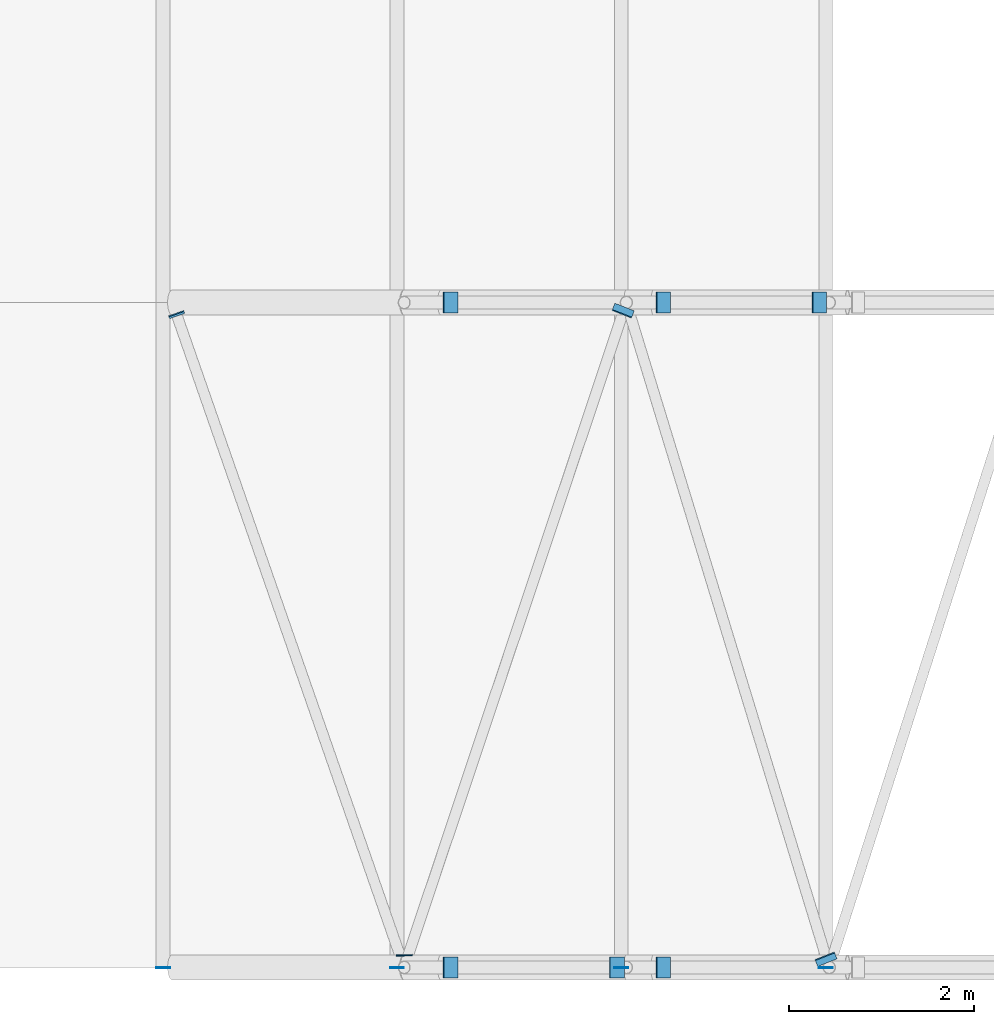
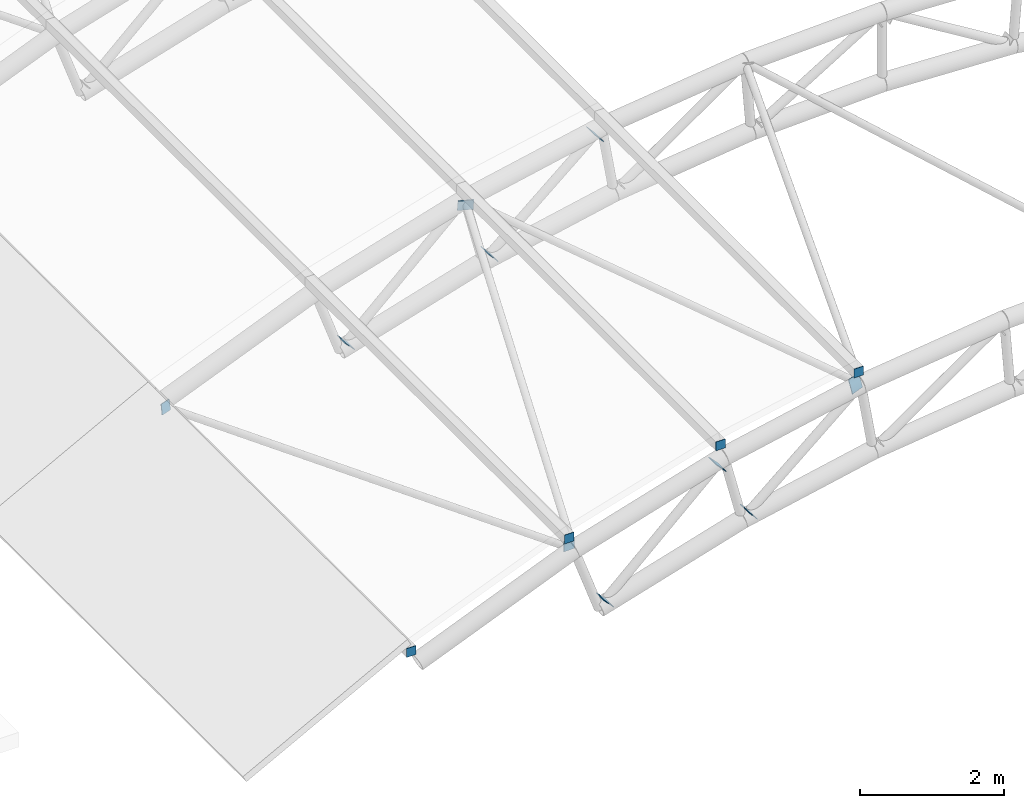
# One storey, part 70 of 92: 14 discrete accessories.
"""IFC4 building model written with IfcOpenShell, lengths in metres."""

from ifc_helpers import new_model, si_unit, direction, frame, origin, origin_2d, place, context, subcontext, project, spatial, rectangle, extrude, material, material_profile, profile_set, type_object, element, save


model = new_model("IFC4")

# Units and contexts
model_context = context("Model", 3, precision=1e-05, world=origin(), true_north=direction((0.0, 1.0)))
body_context = subcontext(model_context, "Body", "Model", "MODEL_VIEW")
ifc_project = project(units=[si_unit("LENGTHUNIT", "METRE"), si_unit("AREAUNIT", "SQUARE_METRE"), si_unit("VOLUMEUNIT", "CUBIC_METRE"), si_unit("PLANEANGLEUNIT", "RADIAN"), si_unit("MASSUNIT", "GRAM", prefix="KILO")], contexts=[model_context])

# Site, building, storey
site_placement = place(None, origin())
site = spatial("IfcSite", under=ifc_project, at=site_placement, CompositionType="ELEMENT")
building_placement = place(site_placement, origin())
building = spatial("IfcBuilding", under=site, at=building_placement, Name="Laocheng Heights Fire and Rescue Headquarters", CompositionType="ELEMENT")
storey_placement = place(building_placement, frame((0.0, 0.0, 12.60009765625)))
storey = spatial("IfcBuildingStorey", under=building, at=storey_placement, Name="L03", CompositionType="ELEMENT", Elevation=12.60009765625)

# Discrete accessories
ifc_material_1 = material(Name="Steel Q355B", Category="steel")
ifc_material_profile_1 = material_profile(ifc_material_1, rectangle(XDim=0.14990234375, YDim=0.14990234375, at=origin_2d()), Name="END CAP PLATE 150 x 150 x 8 FOR BAY ROOF PURLIN SHS 150x150x8")
ifc_profile_set_1 = profile_set([ifc_material_profile_1], Name="Steel Q355B")
discrete_accessory_type_1 = type_object("IfcDiscreteAccessoryType", Name="END CAP PLATE 150 x 150 x 8 FOR BAY ROOF PURLIN SHS 150x150x8", PredefinedType="BRACKET", material=ifc_profile_set_1)
for number, where, z_axis, x_axis, name in (
    (1, (24.289306640625, -0.008056640625, 1.822265625), (0.0, 1.0, 0.0), (-1.0, 0.0, 0.0), "Cap plate at Purlin 4.1 end 1"),
    (2, (26.822509765625, -0.008056640625, 2.8583984375), (0.0, 1.0, 0.0), (-1.0, 0.0, 0.0), "Cap plate at Purlin 5.1 end 1"),
    (3, (29.25, -0.008056640625, 3.587890625), (0.0, 1.0, 0.0), (-1.0, 0.0, 0.0), "Cap plate at Purlin 6.1 end 1"),
    (4, (31.465087890625, -0.008056640625, 4.047119140625), (0.0, 1.0, 0.0), (-1.0, 0.0, 0.0), "Cap plate at Purlin 7.1 end 1"),
):
    element("IfcDiscreteAccessory", number, at=place(storey_placement, frame(where, z_axis=z_axis, x_axis=x_axis)), inside=storey, type_object=discrete_accessory_type_1, Name=name, PredefinedType="BRACKET", context=body_context, shape_type="SweptSolid", body=[
        extrude(rectangle(XDim=0.14990234375, YDim=0.14990234375, at=origin_2d()), origin(), (0.0, 0.0, 1.0), 0.008056640625),
    ])
ifc_material_2 = material(Name="Steel Q355B, dark grey painted", Category="steel")
ifc_material_profile_2 = material_profile(ifc_material_2, rectangle(XDim=0.175048828125, YDim=0.175048828125, at=origin_2d()), Name="GUSSET PLATE 175 x 175 x 12 FOR BAY ROOF BRACE CHS 114.3x5")
ifc_profile_set_2 = profile_set([ifc_material_profile_2], Name="Steel Q355B, dark grey painted")
discrete_accessory_type_2 = type_object("IfcDiscreteAccessoryType", Name="GUSSET PLATE 175 x 175 x 12 FOR BAY ROOF BRACE CHS 114.3x5", PredefinedType="BRACKET", material=ifc_profile_set_2)
discrete_accessory_1_placement = place(storey_placement, frame((24.4375, 7.0634765625, 1.62744140625), z_axis=(-0.326055658376, 0.93741001783, -0.122270871891), x_axis=(-0.944496796706, -0.328520624941, 0.0)))
element("IfcDiscreteAccessory", 5, at=discrete_accessory_1_placement, inside=storey, type_object=discrete_accessory_type_2, Name="End plate at BR04 end 2", PredefinedType="BRACKET", context=body_context, shape_type="SweptSolid", body=[
    extrude(rectangle(XDim=0.175048828125, YDim=0.175048828125, at=origin_2d()), origin(), (0.0, 0.0, 1.0), 0.011962890625),
])
ifc_material_3 = material(Name="Steel Q355B, dark grey painted", Category="steel")
ifc_material_profile_3 = material_profile(ifc_material_3, rectangle(XDim=0.22509765625, YDim=0.22509765625, at=origin_2d()), Name="GUSSET PLATE 225 x 225 x 12 FOR BAY ROOF DIAG CHS 139.7x6")
ifc_profile_set_3 = profile_set([ifc_material_profile_3], Name="Steel Q355B, dark grey painted")
discrete_accessory_type_3 = type_object("IfcDiscreteAccessoryType", Name="GUSSET PLATE 225 x 225 x 12 FOR BAY ROOF DIAG CHS 139.7x6", PredefinedType="BRACKET", material=ifc_profile_set_3)
for number, where, z_axis, x_axis, name in (
    (6, (27.398193359375, 0.0, 1.597900390625), (0.72701315255, 0.0, 0.686623532964), (0.0, 1.0, 0.0), "End plate at TR1-DG05 end 1"),
    (7, (29.198974609375, 0.0, 3.267578125), (0.72701315255, 0.0, 0.686623532964), (0.0, 1.0, 0.0), "End plate at TR1-DG05 end 2"),
):
    element("IfcDiscreteAccessory", number, at=place(storey_placement, frame(where, z_axis=z_axis, x_axis=x_axis)), inside=storey, type_object=discrete_accessory_type_3, Name=name, PredefinedType="BRACKET", context=body_context, shape_type="SweptSolid", body=[
        extrude(rectangle(XDim=0.22509765625, YDim=0.22509765625, at=origin_2d()), origin(), (0.0, 0.0, 1.0), 0.01220703125),
    ])
discrete_accessory_2_placement = place(storey_placement, frame((29.701904296875, 0.0, 2.289794921875), z_axis=(0.756363172452, 0.0, 0.654151932932), x_axis=(0.0, 1.0, 0.0)))
element("IfcDiscreteAccessory", 8, at=discrete_accessory_2_placement, inside=storey, type_object=discrete_accessory_type_3, Name="End plate at TR1-DG06 end 1", PredefinedType="BRACKET", context=body_context, shape_type="SweptSolid", body=[
    extrude(rectangle(XDim=0.22509765625, YDim=0.22509765625, at=origin_2d()), origin(), (0.0, 0.0, 1.0), 0.011962890625),
])
discrete_accessory_3_placement = place(storey_placement, frame((27.398193359375, 7.199951171875, 1.597900390625), z_axis=(0.72701315255, 0.0, 0.686623532964), x_axis=(0.0, 1.0, 0.0)))
element("IfcDiscreteAccessory", 9, at=discrete_accessory_3_placement, inside=storey, type_object=discrete_accessory_type_3, Name="End plate at TR2-DG05 end 1", PredefinedType="BRACKET", context=body_context, shape_type="SweptSolid", body=[
    extrude(rectangle(XDim=0.22509765625, YDim=0.22509765625, at=origin_2d()), origin(), (0.0, 0.0, 1.0), 0.01220703125),
])
for number, where, z_axis, x_axis, name in (
    (10, (29.701904296875, 7.199951171875, 2.289794921875), (0.756363172452, 0.0, 0.654151932932), (0.0, 1.0, 0.0), "End plate at TR2-DG06 end 1"),
    (11, (31.39111328125, 7.199951171875, 3.732177734375), (0.756363172452, 0.0, 0.654151932932), (0.0, 1.0, 0.0), "End plate at TR2-DG06 end 2"),
):
    element("IfcDiscreteAccessory", number, at=place(storey_placement, frame(where, z_axis=z_axis, x_axis=x_axis)), inside=storey, type_object=discrete_accessory_type_3, Name=name, PredefinedType="BRACKET", context=body_context, shape_type="SweptSolid", body=[
        extrude(rectangle(XDim=0.22509765625, YDim=0.22509765625, at=origin_2d()), origin(), (0.0, 0.0, 1.0), 0.011962890625),
    ])
ifc_material_4 = material(Name="Steel Q355B, dark grey painted", Category="steel")
ifc_material_profile_4 = material_profile(ifc_material_4, rectangle(XDim=0.175048828125, YDim=0.175048828125, at=origin_2d()), Name="NODE PLATE 175 x 175 x 12 FOR BAY ROOF BRACE CHS 114.3x5")
ifc_profile_set_4 = profile_set([ifc_material_profile_4], Name="Steel Q355B, dark grey painted")
discrete_accessory_type_4 = type_object("IfcDiscreteAccessoryType", Name="NODE PLATE 175 x 175 x 12 FOR BAY ROOF BRACE CHS 114.3x5", PredefinedType="BRACKET", material=ifc_profile_set_4)
discrete_accessory_4_placement = place(storey_placement, frame((26.8994140625, 0.12548828125, 2.63623046875), z_axis=(-0.019992004797, 0.99960023984, -0.019992004797), x_axis=(-0.99980005998, -0.0199960012, 0.0)))
element("IfcDiscreteAccessory", 12, at=discrete_accessory_4_placement, inside=storey, type_object=discrete_accessory_type_4, Name="Node plate at BR04 end 1, BR05 end 1", PredefinedType="BRACKET", context=body_context, shape_type="SweptSolid", body=[
    extrude(rectangle(XDim=0.175048828125, YDim=0.175048828125, at=origin_2d()), origin(), (0.0, 0.0, 1.0), 0.01220703125),
])
ifc_material_5 = material(Name="Steel Q355B, dark grey painted", Category="steel")
ifc_material_profile_5 = material_profile(ifc_material_5, rectangle(XDim=0.22509765625, YDim=0.22509765625, at=origin_2d()), Name="NODE PLATE 225 x 225 x 12 FOR BAY ROOF BRACE CHS 114.3x5")
ifc_profile_set_5 = profile_set([ifc_material_profile_5], Name="Steel Q355B, dark grey painted")
discrete_accessory_type_5 = type_object("IfcDiscreteAccessoryType", Name="NODE PLATE 225 x 225 x 12 FOR BAY ROOF BRACE CHS 114.3x5", PredefinedType="BRACKET", material=ifc_profile_set_5)
for number, where, z_axis, x_axis, name in (
    (13, (31.46923828125, 0.083740234375, 3.79736328125), (-0.349717254755, 0.884578938498, -0.308574048313), (-0.929960720174, -0.367658889371, 0.0), "Node plate at BR06 end 1, BR07 end 1, TR1-DG06 end 2"),
    (14, (29.272705078125, 7.11669921875, 3.33544921875), (-0.347445625708, -0.878833053262, -0.327007647725), (0.929960720174, -0.367658889371, 0.0), "Node plate at BR05 end 2, BR06 end 2, TR2-DG05 end 2"),
):
    element("IfcDiscreteAccessory", number, at=place(storey_placement, frame(where, z_axis=z_axis, x_axis=x_axis)), inside=storey, type_object=discrete_accessory_type_5, Name=name, PredefinedType="BRACKET", context=body_context, shape_type="SweptSolid", body=[
        extrude(rectangle(XDim=0.22509765625, YDim=0.22509765625, at=origin_2d()), origin(), (0.0, 0.0, 1.0), 0.011962890625),
    ])

save(model, "model.ifc")
